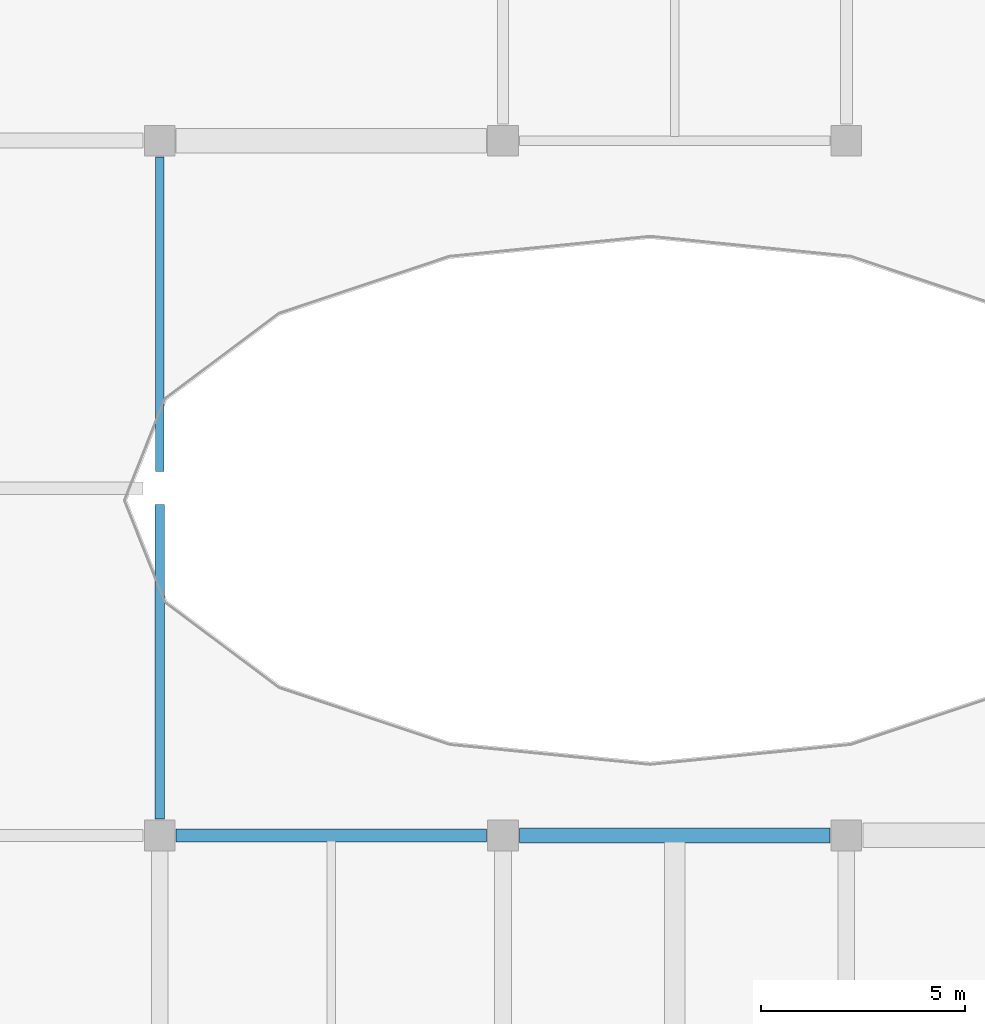
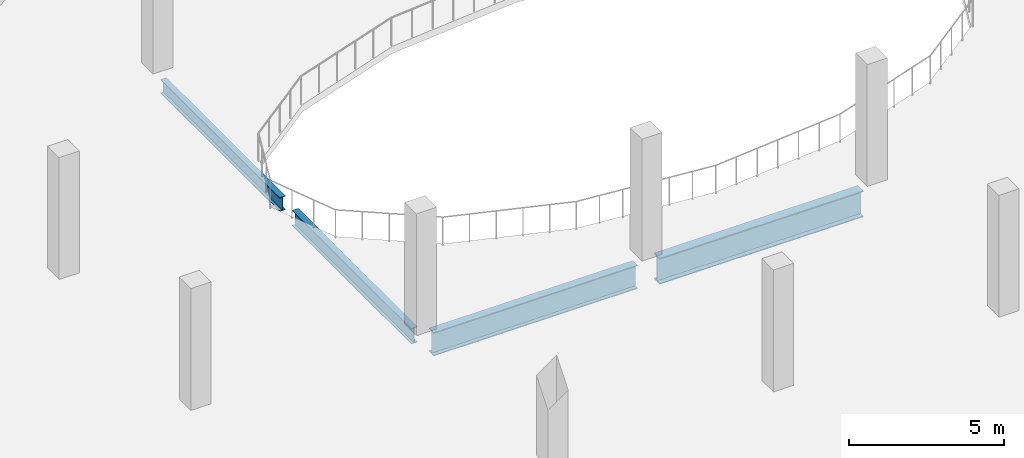
# One storey, part 17 of 117: 4 beams.
"""IFC4 building model written with IfcOpenShell, lengths in metres."""

from ifc_helpers import new_model, si_unit, direction, frame, origin, origin_2d, place, context, subcontext, project, spatial, i_section, extrude, material, material_profile, profile_set, type_object, element, save


model = new_model("IFC4")

# Units and contexts
model_context = context("Model", 3, precision=1e-05, world=origin(), true_north=direction((0.0, 1.0)))
body_context = subcontext(model_context, "Body", "Model", "MODEL_VIEW")
ifc_project = project(units=[si_unit("LENGTHUNIT", "METRE"), si_unit("AREAUNIT", "SQUARE_METRE"), si_unit("VOLUMEUNIT", "CUBIC_METRE"), si_unit("PLANEANGLEUNIT", "RADIAN"), si_unit("MASSUNIT", "GRAM", prefix="KILO")], contexts=[model_context])

# Site, building, storey
site_placement = place(None, origin())
site = spatial("IfcSite", under=ifc_project, at=site_placement, CompositionType="ELEMENT")
building_placement = place(site_placement, origin())
building = spatial("IfcBuilding", under=site, at=building_placement, Name="Solvento Point Concert Hall", CompositionType="ELEMENT")
storey_placement = place(building_placement, frame((0.0, 0.0, 5.39990234375)))
storey = spatial("IfcBuildingStorey", under=building, at=storey_placement, Name="L01", CompositionType="ELEMENT", Elevation=5.39990234375)

# Beams
ifc_material_1 = material(Name="Structural Steel ASTM A992 Grade 50", Category="steel")
ifc_material_profile_1 = material_profile(ifc_material_1, i_section(OverallWidth=0.214111328125, OverallDepth=0.549072265625, WebThickness=0.0146484375, FlangeThickness=0.023681640625, at=origin_2d()), Name="W21X93")
ifc_profile_set_1 = profile_set([ifc_material_profile_1], Name="Structural Steel ASTM A992 Grade 50")
beam_type_1 = type_object("IfcBeamType", Name="Beam_W21X93", PredefinedType="BEAM", material=ifc_profile_set_1)
beam_1_placement = place(storey_placement, frame((49.199951171875, 42.904052734375, -0.558349609375), z_axis=(0.0, 1.0, 0.0), x_axis=(-1.0, 0.0, 0.0)))
element("IfcBeam", 1, at=beam_1_placement, inside=storey, type_object=beam_type_1, Name="Primary girder B-48 L01", PredefinedType="BEAM", context=body_context, shape_type="SweptSolid", body=[
    extrude(i_section(OverallWidth=0.214111328125, OverallDepth=0.549072265625, WebThickness=0.0146484375, FlangeThickness=0.023681640625, at=origin_2d()), origin(), (0.0, 0.0, 1.0), 7.69189453125),
])
ifc_material_2 = material(Name="Structural Steel ASTM A992 Grade 50", Category="steel")
ifc_material_profile_2 = material_profile(ifc_material_2, i_section(OverallWidth=0.228515625, OverallDepth=0.60791015625, WebThickness=0.01123046875, FlangeThickness=0.017333984375, at=origin_2d()), Name="W24X76")
ifc_profile_set_2 = profile_set([ifc_material_profile_2], Name="Structural Steel ASTM A992 Grade 50")
beam_type_2 = type_object("IfcBeamType", Name="Beam_W24X76", PredefinedType="BEAM", material=ifc_profile_set_2)
beam_2_placement = place(storey_placement, frame((49.199951171875, 34.404052734375, -0.587890625), z_axis=(0.0, 1.0, 0.0), x_axis=(-1.0, 0.0, 0.0)))
element("IfcBeam", 2, at=beam_2_placement, inside=storey, type_object=beam_type_2, Name="Primary girder B-42 L01", PredefinedType="BEAM", context=body_context, shape_type="SweptSolid", body=[
    extrude(i_section(OverallWidth=0.228515625, OverallDepth=0.60791015625, WebThickness=0.01123046875, FlangeThickness=0.017333984375, at=origin_2d()), origin(), (0.0, 0.0, 1.0), 7.69189453125),
])
ifc_material_3 = material(Name="Structural Steel ASTM A992 Grade 50", Category="steel")
ifc_material_profile_3 = material_profile(ifc_material_3, i_section(OverallWidth=0.3076171875, OverallDepth=0.927001953125, WebThickness=0.019287109375, FlangeThickness=0.031982421875, at=origin_2d()), Name="W36X194")
ifc_profile_set_3 = profile_set([ifc_material_profile_3], Name="Structural Steel ASTM A992 Grade 50")
beam_type_3 = type_object("IfcBeamType", Name="Girder_W36X194", PredefinedType="USERDEFINED", material=ifc_profile_set_3)
beam_3_placement = place(storey_placement, frame((49.60400390625, 34.0, -0.747314453125), z_axis=(1.0, 0.0, 0.0), x_axis=(0.0, 1.0, 0.0)))
element("IfcBeam", 3, at=beam_3_placement, inside=storey, type_object=beam_type_3, Name="Primary girder B-61 L01", ObjectType="GIRDER", PredefinedType="USERDEFINED", context=body_context, shape_type="SweptSolid", body=[
    extrude(i_section(OverallWidth=0.3076171875, OverallDepth=0.927001953125, WebThickness=0.019287109375, FlangeThickness=0.031982421875, at=origin_2d()), origin(), (0.0, 0.0, 1.0), 7.592041015625),
])
ifc_material_4 = material(Name="Structural Steel ASTM A992 Grade 50", Category="steel")
ifc_material_profile_4 = material_profile(ifc_material_4, i_section(OverallWidth=0.361083984375, OverallDepth=1.02587890625, WebThickness=0.01904296875, FlangeThickness=0.0361328125, at=origin_2d()), Name="W40X249")
ifc_profile_set_4 = profile_set([ifc_material_profile_4], Name="Structural Steel ASTM A992 Grade 50")
beam_type_4 = type_object("IfcBeamType", Name="Girder_W40X249", PredefinedType="USERDEFINED", material=ifc_profile_set_4)
beam_4_placement = place(storey_placement, frame((58.00390625, 34.0, -0.796875), z_axis=(1.0, 0.0, 0.0), x_axis=(0.0, 1.0, 0.0)))
element("IfcBeam", 4, at=beam_4_placement, inside=storey, type_object=beam_type_4, Name="Primary girder B-29 L01", ObjectType="GIRDER", PredefinedType="USERDEFINED", context=body_context, shape_type="SweptSolid", body=[
    extrude(i_section(OverallWidth=0.361083984375, OverallDepth=1.02587890625, WebThickness=0.01904296875, FlangeThickness=0.0361328125, at=origin_2d()), origin(), (0.0, 0.0, 1.0), 7.592041015625),
])

save(model, "model.ifc")
